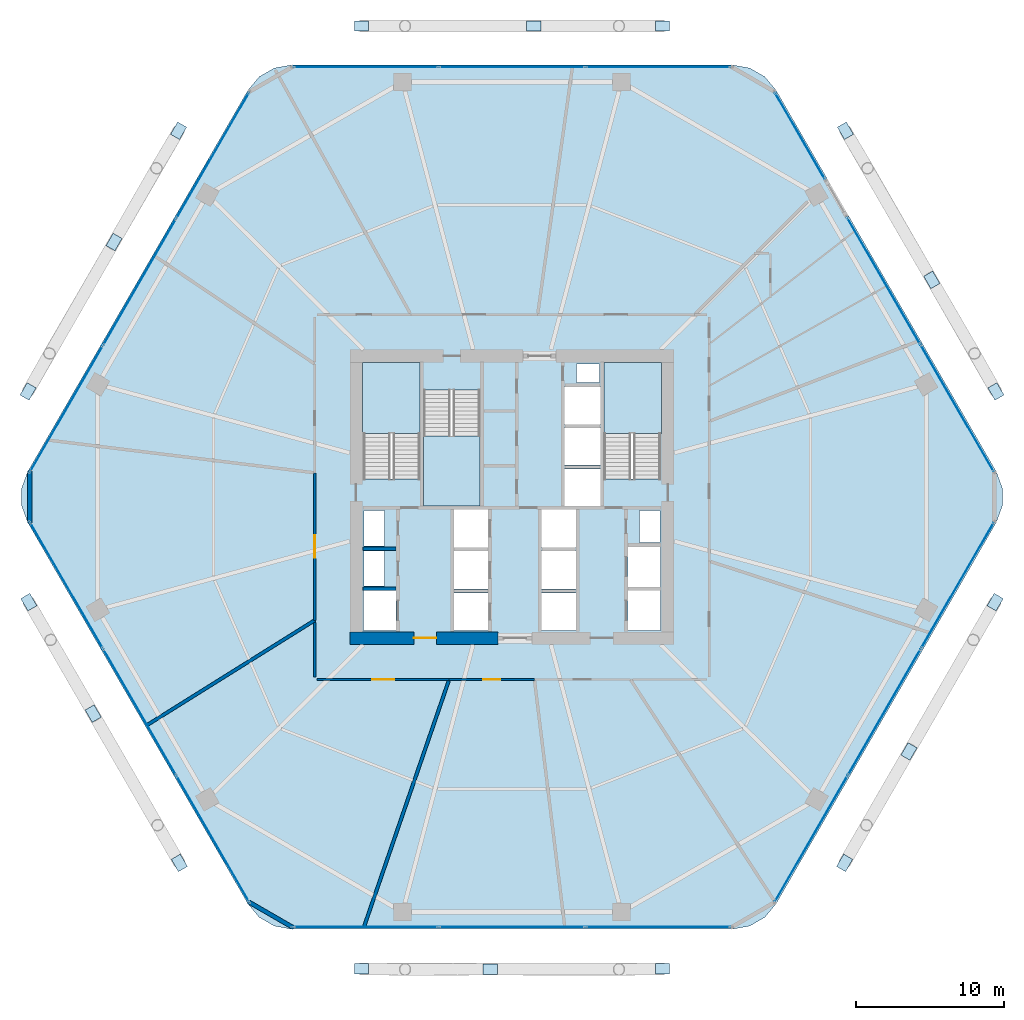
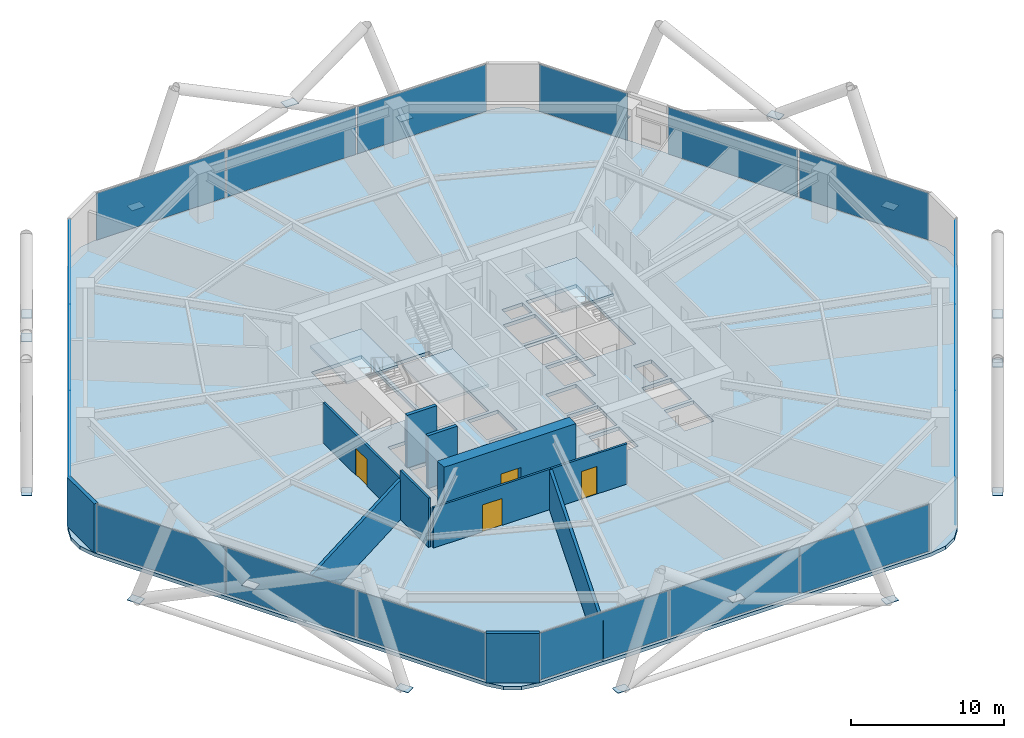
# One storey, part 24 of 28: 36 plates, 11 walls, 4 doors, 4 slabs, 4 openings, 10 elements without a shape of their own.
"""IFC4 building model written with IfcOpenShell, lengths in metres."""

from ifc_helpers import new_model, si_unit, direction, frame, frame_2d, origin, origin_2d, place, context, subcontext, project, spatial, polyline, rectangle, outline, extrude, material, layer, layer_set, type_object, element, fill, aggregate, save


model = new_model("IFC4")

# Units and contexts
model_context = context("Model", 3, precision=1e-05, world=origin(), true_north=direction((0.0, 1.0)))
body_context = subcontext(model_context, "Body", "Model", "MODEL_VIEW")
ifc_project = project(units=[si_unit("LENGTHUNIT", "METRE"), si_unit("AREAUNIT", "SQUARE_METRE"), si_unit("VOLUMEUNIT", "CUBIC_METRE"), si_unit("PLANEANGLEUNIT", "RADIAN"), si_unit("MASSUNIT", "GRAM", prefix="KILO")], contexts=[model_context])

# Site, building, storey
site_placement = place(None, origin())
site = spatial("IfcSite", under=ifc_project, at=site_placement, CompositionType="ELEMENT")
building_placement = place(site_placement, origin())
building = spatial("IfcBuilding", under=site, at=building_placement, Name="Zuhravey Tower", CompositionType="ELEMENT")
storey_placement = place(building_placement, frame((0.0, 0.0, 24.60009765625)))
storey = spatial("IfcBuildingStorey", under=building, at=storey_placement, Name="L06", CompositionType="ELEMENT", Elevation=24.60009765625)

# Curtain wall, plates
ifc_material_1 = material(Name="Thermally broken anodised aluminium", Category="aluminium")
curtain_wall_type = type_object("IfcCurtainWallType", Name="School Low-E Unitised Curtain Wall CW1", PredefinedType="NOTDEFINED", material=ifc_material_1)
curtain_wall_1_placement = place(storey_placement, origin())
curtain_wall_1 = element("IfcCurtainWall", 1, at=curtain_wall_1_placement, inside=storey, type_object=curtain_wall_type, Name="L06 CW1 CW-L06-F6-1", PredefinedType="NOTDEFINED")
ifc_material_2 = material(Name="Laminated acoustic low-E vision glass", Category="glass")
ifc_layer_1 = layer(ifc_material_2, 0.048095703125)
ifc_layer_set_1 = layer_set([ifc_layer_1], Name="Laminated acoustic low-E vision glass")
plate_type_1 = type_object("IfcPlateType", Name="Acoustic School Vision Panel", PredefinedType="CURTAIN_PANEL", material=ifc_layer_set_1)
plate_1_placement = place(storey_placement, frame((66.000732421875, 26.045654296875, 0.08984375), z_axis=(0.0, 0.0, 1.0), x_axis=(-0.499999794119, -0.86602552265, 0.0)))
plate_1 = element("IfcPlate", 2, at=plate_1_placement, type_object=plate_type_1, Name="CW1 panel 1.1", PredefinedType="CURTAIN_PANEL", context=body_context, shape_type="SweptSolid", body=[
    extrude(rectangle(XDim=9.7314453125, YDim=0.048095703125, at=origin_2d()), origin(), (0.0, 0.0, 1.0), 3.739990234375),
])
plate_2_placement = place(storey_placement, frame((61.078857421875, 17.520751953125, 0.08984375), z_axis=(0.0, 0.0, 1.0), x_axis=(-0.499999794119, -0.86602552265, 0.0)))
plate_2 = element("IfcPlate", 3, at=plate_2_placement, type_object=plate_type_1, Name="CW1 panel 2.1", PredefinedType="CURTAIN_PANEL", context=body_context, shape_type="SweptSolid", body=[
    extrude(rectangle(XDim=9.7763671875, YDim=0.048095703125, at=origin_2d()), origin(), (0.0, 0.0, 1.0), 3.739990234375),
])
plate_3_placement = place(storey_placement, frame((56.15673828125, 8.995849609375, 0.08984375), z_axis=(0.0, 0.0, 1.0), x_axis=(-0.499999794119, -0.86602552265, 0.0)))
plate_3 = element("IfcPlate", 4, at=plate_3_placement, type_object=plate_type_1, Name="CW1 panel 3.1", PredefinedType="CURTAIN_PANEL", context=body_context, shape_type="SweptSolid", body=[
    extrude(rectangle(XDim=9.7314453125, YDim=0.048095703125, at=origin_2d()), origin(), (0.0, 0.0, 1.0), 3.739990234375),
])
aggregate(curtain_wall_1, [plate_1, plate_2, plate_3])

curtain_wall_2_placement = place(storey_placement, origin())
curtain_wall_2 = element("IfcCurtainWall", 5, at=curtain_wall_2_placement, inside=storey, type_object=curtain_wall_type, Name="L06 CW1 CW-L06-F5-1", PredefinedType="NOTDEFINED")
plate_4_placement = place(storey_placement, frame((45.84375, 3.04150390625, 0.08984375), z_axis=(0.0, 0.0, 1.0), x_axis=(-1.0, 0.0, 0.0)))
plate_4 = element("IfcPlate", 6, at=plate_4_placement, type_object=plate_type_1, Name="CW1 panel 1.1", PredefinedType="CURTAIN_PANEL", context=body_context, shape_type="SweptSolid", body=[
    extrude(rectangle(XDim=9.7314453125, YDim=0.048095703125, at=origin_2d()), origin(), (0.0, 0.0, 1.0), 3.739990234375),
])
plate_5_placement = place(storey_placement, frame((36.0, 3.04150390625, 0.08984375), z_axis=(0.0, 0.0, 1.0), x_axis=(-1.0, 0.0, 0.0)))
plate_5 = element("IfcPlate", 7, at=plate_5_placement, type_object=plate_type_1, Name="CW1 panel 2.1", PredefinedType="CURTAIN_PANEL", context=body_context, shape_type="SweptSolid", body=[
    extrude(rectangle(XDim=9.7763671875, YDim=0.048095703125, at=origin_2d()), origin(), (0.0, 0.0, 1.0), 3.739990234375),
])
plate_6_placement = place(storey_placement, frame((26.15625, 3.04150390625, 0.08984375), z_axis=(0.0, 0.0, 1.0), x_axis=(-1.0, 0.0, 0.0)))
plate_6 = element("IfcPlate", 8, at=plate_6_placement, type_object=plate_type_1, Name="CW1 panel 3.1", PredefinedType="CURTAIN_PANEL", context=body_context, shape_type="SweptSolid", body=[
    extrude(rectangle(XDim=9.7314453125, YDim=0.048095703125, at=origin_2d()), origin(), (0.0, 0.0, 1.0), 3.739990234375),
])
aggregate(curtain_wall_2, [plate_4, plate_5, plate_6])

curtain_wall_3_placement = place(storey_placement, origin())
curtain_wall_3 = element("IfcCurtainWall", 9, at=curtain_wall_3_placement, inside=storey, type_object=curtain_wall_type, Name="L06 CW1 CW-L06-F4-1", PredefinedType="NOTDEFINED")
plate_7_placement = place(storey_placement, frame((15.84326171875, 8.995849609375, 0.08984375), z_axis=(0.0, 0.0, 1.0), x_axis=(-0.499999794119, 0.86602552265, 0.0)))
plate_7 = element("IfcPlate", 10, at=plate_7_placement, type_object=plate_type_1, Name="CW1 panel 1.1", PredefinedType="CURTAIN_PANEL", context=body_context, shape_type="SweptSolid", body=[
    extrude(rectangle(XDim=9.7314453125, YDim=0.048095703125, at=origin_2d()), origin(), (0.0, 0.0, 1.0), 3.739990234375),
])
plate_8_placement = place(storey_placement, frame((10.921142578125, 17.520751953125, 0.08984375), z_axis=(0.0, 0.0, 1.0), x_axis=(-0.499999794119, 0.86602552265, 0.0)))
plate_8 = element("IfcPlate", 11, at=plate_8_placement, type_object=plate_type_1, Name="CW1 panel 2.1", PredefinedType="CURTAIN_PANEL", context=body_context, shape_type="SweptSolid", body=[
    extrude(rectangle(XDim=9.7763671875, YDim=0.048095703125, at=origin_2d()), origin(), (0.0, 0.0, 1.0), 3.739990234375),
])
plate_9_placement = place(storey_placement, frame((5.999267578125, 26.045654296875, 0.08984375), z_axis=(0.0, 0.0, 1.0), x_axis=(-0.499999794119, 0.86602552265, 0.0)))
plate_9 = element("IfcPlate", 12, at=plate_9_placement, type_object=plate_type_1, Name="CW1 panel 3.1", PredefinedType="CURTAIN_PANEL", context=body_context, shape_type="SweptSolid", body=[
    extrude(rectangle(XDim=9.7314453125, YDim=0.048095703125, at=origin_2d()), origin(), (0.0, 0.0, 1.0), 3.739990234375),
])
aggregate(curtain_wall_3, [plate_7, plate_8, plate_9])

curtain_wall_4_placement = place(storey_placement, origin())
curtain_wall_4 = element("IfcCurtainWall", 13, at=curtain_wall_4_placement, inside=storey, type_object=curtain_wall_type, Name="L06 CW1 CW-L06-F3-1", PredefinedType="NOTDEFINED")
plate_10_placement = place(storey_placement, frame((5.999267578125, 37.954345703125, 0.08984375), z_axis=(0.0, 0.0, 1.0), x_axis=(0.499999794119, 0.86602552265, 0.0)))
plate_10 = element("IfcPlate", 14, at=plate_10_placement, type_object=plate_type_1, Name="CW1 panel 1.1", PredefinedType="CURTAIN_PANEL", context=body_context, shape_type="SweptSolid", body=[
    extrude(rectangle(XDim=9.7314453125, YDim=0.048095703125, at=origin_2d()), origin(), (0.0, 0.0, 1.0), 3.739990234375),
])
plate_11_placement = place(storey_placement, frame((10.921142578125, 46.479248046875, 0.08984375), z_axis=(0.0, 0.0, 1.0), x_axis=(0.499999794119, 0.86602552265, 0.0)))
plate_11 = element("IfcPlate", 15, at=plate_11_placement, type_object=plate_type_1, Name="CW1 panel 2.1", PredefinedType="CURTAIN_PANEL", context=body_context, shape_type="SweptSolid", body=[
    extrude(rectangle(XDim=9.7763671875, YDim=0.048095703125, at=origin_2d()), origin(), (0.0, 0.0, 1.0), 3.739990234375),
])
plate_12_placement = place(storey_placement, frame((15.84326171875, 55.004150390625, 0.08984375), z_axis=(0.0, 0.0, 1.0), x_axis=(0.499999794119, 0.86602552265, 0.0)))
plate_12 = element("IfcPlate", 16, at=plate_12_placement, type_object=plate_type_1, Name="CW1 panel 3.1", PredefinedType="CURTAIN_PANEL", context=body_context, shape_type="SweptSolid", body=[
    extrude(rectangle(XDim=9.7314453125, YDim=0.048095703125, at=origin_2d()), origin(), (0.0, 0.0, 1.0), 3.739990234375),
])
aggregate(curtain_wall_4, [plate_10, plate_11, plate_12])

curtain_wall_5_placement = place(storey_placement, origin())
curtain_wall_5 = element("IfcCurtainWall", 17, at=curtain_wall_5_placement, inside=storey, type_object=curtain_wall_type, Name="L06 CW1 CW-L06-F2-1", PredefinedType="NOTDEFINED")
plate_13_placement = place(storey_placement, frame((26.15625, 60.95849609375, 0.08984375), z_axis=(0.0, 0.0, 1.0), x_axis=(1.0, 0.0, 0.0)))
plate_13 = element("IfcPlate", 18, at=plate_13_placement, type_object=plate_type_1, Name="CW1 panel 1.1", PredefinedType="CURTAIN_PANEL", context=body_context, shape_type="SweptSolid", body=[
    extrude(rectangle(XDim=9.7314453125, YDim=0.048095703125, at=origin_2d()), origin(), (0.0, 0.0, 1.0), 3.739990234375),
])
plate_14_placement = place(storey_placement, frame((36.0, 60.95849609375, 0.08984375), z_axis=(0.0, 0.0, 1.0), x_axis=(1.0, 0.0, 0.0)))
plate_14 = element("IfcPlate", 19, at=plate_14_placement, type_object=plate_type_1, Name="CW1 panel 2.1", PredefinedType="CURTAIN_PANEL", context=body_context, shape_type="SweptSolid", body=[
    extrude(rectangle(XDim=9.7763671875, YDim=0.048095703125, at=origin_2d()), origin(), (0.0, 0.0, 1.0), 3.739990234375),
])
plate_15_placement = place(storey_placement, frame((45.84375, 60.95849609375, 0.08984375), z_axis=(0.0, 0.0, 1.0), x_axis=(1.0, 0.0, 0.0)))
plate_15 = element("IfcPlate", 20, at=plate_15_placement, type_object=plate_type_1, Name="CW1 panel 3.1", PredefinedType="CURTAIN_PANEL", context=body_context, shape_type="SweptSolid", body=[
    extrude(rectangle(XDim=9.7314453125, YDim=0.048095703125, at=origin_2d()), origin(), (0.0, 0.0, 1.0), 3.739990234375),
])
aggregate(curtain_wall_5, [plate_13, plate_14, plate_15])

# Curtain wall, plate
curtain_wall_6_placement = place(storey_placement, origin())
curtain_wall_6 = element("IfcCurtainWall", 21, at=curtain_wall_6_placement, inside=storey, type_object=curtain_wall_type, Name="L06 CW1 CW-L06-F1-1", PredefinedType="NOTDEFINED")
plate_16_placement = place(storey_placement, frame((55.39453125, 56.324462890625, 0.08984375), z_axis=(0.0, 0.0, 1.0), x_axis=(0.499992802933, -0.866029558973, 0.0)))
plate_16 = element("IfcPlate", 22, at=plate_16_placement, type_object=plate_type_1, Name="CW1 panel 1.1", PredefinedType="CURTAIN_PANEL", context=body_context, shape_type="SweptSolid", body=[
    extrude(rectangle(XDim=6.6826171875, YDim=0.048095703125, at=origin_2d()), origin(), (0.0, 0.0, 1.0), 3.739990234375),
])
aggregate(curtain_wall_6, [plate_16])

# Curtain wall, plates
curtain_wall_7_placement = place(storey_placement, origin())
curtain_wall_7 = element("IfcCurtainWall", 23, at=curtain_wall_7_placement, inside=storey, type_object=curtain_wall_type, Name="L06 CW1 CW-L06-F1-2", PredefinedType="NOTDEFINED")
plate_17_placement = place(storey_placement, frame((61.032470703125, 46.5595703125, 0.08984375), z_axis=(0.0, 0.0, 1.0), x_axis=(0.500000600745, -0.866025056944, 0.0)))
plate_17 = element("IfcPlate", 24, at=plate_17_placement, type_object=plate_type_1, Name="CW1 panel 1.1", PredefinedType="CURTAIN_PANEL", context=body_context, shape_type="SweptSolid", body=[
    extrude(rectangle(XDim=9.80810546875, YDim=0.048095703125, at=origin_2d()), origin(), (0.0, 0.0, 1.0), 3.739990234375),
])
plate_18_placement = place(storey_placement, frame((65.9814453125, 37.987548828125, 0.08984375), z_axis=(0.0, 0.0, 1.0), x_axis=(0.500000600745, -0.866025056944, 0.0)))
plate_18 = element("IfcPlate", 25, at=plate_18_placement, type_object=plate_type_1, Name="CW1 panel 2.1", PredefinedType="CURTAIN_PANEL", context=body_context, shape_type="SweptSolid", body=[
    extrude(rectangle(XDim=9.80810546875, YDim=0.048095703125, at=origin_2d()), origin(), (0.0, 0.0, 1.0), 3.739990234375),
])
aggregate(curtain_wall_7, [plate_17, plate_18])

# Plates
ifc_material_3 = material(Name="Steel SM460", Category="steel")
ifc_layer_2 = layer(ifc_material_3, 0.0400390625)
ifc_layer_set_2 = layer_set([ifc_layer_2], Name="Steel SM460")
plate_type_2 = type_object("IfcPlateType", Name="Exoskeleton Zone 1 Node Plate ND1", PredefinedType="SHEET", material=ifc_layer_set_2)
for number, where, z_axis, x_axis, name in (
    (26, (68.58935546875, 39.110595703125, -0.51416015625), (0.0, 0.0, 1.0), (-0.5, 0.866025403784, 0.0), "L06 Exoskeleton Node Gusset L06-01"),
    (27, (58.45263671875, 56.66796875, -0.51416015625), (0.0, 0.0, 1.0), (-0.5, 0.866025403784, 0.0), "L06 Exoskeleton Node Gusset L06-02"),
    (28, (46.13671875, 63.718505859375, -0.51416015625), (0.0, 0.0, 1.0), (-1.0, 0.0, 0.0), "L06 Exoskeleton Node Gusset L06-03"),
    (29, (25.86328125, 63.718505859375, -0.51416015625), (0.0, 0.0, 1.0), (-1.0, 0.0, 0.0), "L06 Exoskeleton Node Gusset L06-04"),
    (30, (13.54736328125, 56.66796875, -0.51416015625), (0.0, 0.0, 1.0), (-0.5, -0.866025403784, 0.0), "L06 Exoskeleton Node Gusset L06-05"),
    (31, (3.41064453125, 39.110595703125, -0.51416015625), (0.0, 0.0, 1.0), (-0.5, -0.866025403784, 0.0), "L06 Exoskeleton Node Gusset L06-06"),
    (32, (3.462646484375, 24.91943359375, -0.51416015625), (0.0, 0.0, 1.0), (0.5, -0.866025403784, 0.0), "L06 Exoskeleton Node Gusset L06-07"),
    (33, (13.599365234375, 7.362060546875, -0.51416015625), (0.0, 0.0, 1.0), (0.5, -0.866025403784, 0.0), "L06 Exoskeleton Node Gusset L06-08"),
    (34, (25.86328125, 0.221435546875, -0.51416015625), (0.0, 0.0, 1.0), (1.0, 0.0, 0.0), "L06 Exoskeleton Node Gusset L06-09"),
    (35, (46.13671875, 0.221435546875, -0.51416015625), (0.0, 0.0, 1.0), (1.0, 0.0, 0.0), "L06 Exoskeleton Node Gusset L06-10"),
    (36, (58.400634765625, 7.362060546875, -0.51416015625), (0.0, 0.0, 1.0), (0.5, 0.866025403784, 0.0), "L06 Exoskeleton Node Gusset L06-11"),
    (37, (68.537353515625, 24.91943359375, -0.51416015625), (0.0, 0.0, 1.0), (0.5, 0.866025403784, 0.0), "L06 Exoskeleton Node Gusset L06-12"),
    (38, (64.26953125, 46.622314453125, 3.685791015625), (0.0, 0.0, 1.0), (-0.5, 0.866025403784, 0.0), "L06 Face 1 Diagrid X-Crossing Plate"),
    (39, (37.471435546875, 63.718505859375, 3.685791015625), (0.0, 0.0, 1.0), (-1.0, 0.0, 0.0), "L06 Face 2 Diagrid X-Crossing Plate"),
    (40, (9.201904296875, 49.171142578125, 3.685791015625), (0.0, 0.0, 1.0), (-0.5, -0.866025403784, 0.0), "L06 Face 3 Diagrid X-Crossing Plate"),
    (41, (7.79541015625, 17.4150390625, 3.685791015625), (0.0, 0.0, 1.0), (0.5, -0.866025403784, 0.0), "L06 Face 4 Diagrid X-Crossing Plate"),
    (42, (34.528564453125, 0.20654296875, 3.685791015625), (0.0, 0.0, 1.0), (1.0, 0.0, 0.0), "L06 Face 5 Diagrid X-Crossing Plate"),
    (43, (62.733154296875, 14.866455078125, 3.685791015625), (0.0, 0.0, 1.0), (0.5, 0.866025403784, 0.0), "L06 Face 6 Diagrid X-Crossing Plate"),
):
    element("IfcPlate", number, at=place(storey_placement, frame(where, z_axis=z_axis, x_axis=x_axis)), inside=storey, type_object=plate_type_2, Name=name, PredefinedType="SHEET", context=body_context, shape_type="SweptSolid", body=[
        extrude(rectangle(XDim=0.9599609375, YDim=0.699951171875, at=origin_2d()), origin(), (0.0, 0.0, 1.0), 0.0400390625),
    ])

# Slab
ifc_material_4 = material(Name="Concrete C50/60", Category="concrete")
ifc_layer_3 = layer(ifc_material_4, 0.280029296875)
ifc_layer_set_3 = layer_set([ifc_layer_3], Name="Concrete C50/60")
slab_type_1 = type_object("IfcSlabType", Name="School Composite Floor Slab 280", PredefinedType="FLOOR", material=ifc_layer_set_3)
slab_1_placement = place(storey_placement, frame((0.0, 0.0, -0.280029296875)))
element("IfcSlab", 44, at=slab_1_placement, inside=storey, type_object=slab_type_1, Name="L06 Floor Slab FS28", PredefinedType="FLOOR", context=body_context, shape_type="SweptSolid", body=[
    extrude(outline(polyline([(68.618408203125, 30.300048828125), (69.0224609375, 31.40966796875), (69.0224609375, 32.59033203125), (68.618408203125, 33.699951171875), (53.781494140625, 59.3984375), (53.0224609375, 60.302978515625), (52.0, 60.893310546875), (50.8369140625, 61.098388671875), (21.1630859375, 61.098388671875), (20.0, 60.893310546875), (18.9775390625, 60.302978515625), (18.218505859375, 59.3984375), (3.381591796875, 33.699951171875), (2.9775390625, 32.59033203125), (2.9775390625, 31.40966796875), (3.381591796875, 30.300048828125), (18.218505859375, 4.6015625), (18.9775390625, 3.697021484375), (20.0, 3.106689453125), (21.1630859375, 2.901611328125), (50.8369140625, 2.901611328125), (52.0, 3.106689453125), (53.0224609375, 3.697021484375), (53.781494140625, 4.6015625), (68.618408203125, 30.300048828125)]), holes=[polyline([(29.800048828125, 33.20068359375), (29.800048828125, 41.0), (26.0, 41.0), (26.0, 33.20068359375), (29.800048828125, 33.20068359375)]), polyline([(46.0, 33.20068359375), (46.0, 41.0), (42.199951171875, 41.0), (42.199951171875, 33.20068359375), (46.0, 33.20068359375)]), polyline([(30.050048828125, 39.199462890625), (30.050048828125, 31.39990234375), (33.85009765625, 31.39990234375), (33.85009765625, 39.199462890625), (30.050048828125, 39.199462890625)]), polyline([(32.10009765625, 23.0), (34.39990234375, 23.0), (34.39990234375, 25.550048828125), (32.10009765625, 25.550048828125), (32.10009765625, 23.0)]), polyline([(32.10009765625, 25.800048828125), (34.39990234375, 25.800048828125), (34.39990234375, 28.35009765625), (32.10009765625, 28.35009765625), (32.10009765625, 25.800048828125)]), polyline([(32.10009765625, 28.60009765625), (34.39990234375, 28.60009765625), (34.39990234375, 31.14990234375), (32.10009765625, 31.14990234375), (32.10009765625, 28.60009765625)]), polyline([(38.0, 23.0), (40.300048828125, 23.0), (40.300048828125, 25.550048828125), (38.0, 25.550048828125), (38.0, 23.0)]), polyline([(38.0, 25.800048828125), (40.300048828125, 25.800048828125), (40.300048828125, 28.35009765625), (38.0, 28.35009765625), (38.0, 25.800048828125)]), polyline([(38.0, 28.60009765625), (40.300048828125, 28.60009765625), (40.300048828125, 31.14990234375), (38.0, 31.14990234375), (38.0, 28.60009765625)]), polyline([(39.550048828125, 31.39990234375), (41.949951171875, 31.39990234375), (41.949951171875, 33.89990234375), (39.550048828125, 33.89990234375), (39.550048828125, 31.39990234375)]), polyline([(39.550048828125, 34.14990234375), (41.949951171875, 34.14990234375), (41.949951171875, 36.64990234375), (39.550048828125, 36.64990234375), (39.550048828125, 34.14990234375)]), polyline([(39.550048828125, 36.89990234375), (41.949951171875, 36.89990234375), (41.949951171875, 39.39990234375), (39.550048828125, 39.39990234375), (39.550048828125, 36.89990234375)]), polyline([(26.0, 23.0), (28.199951171875, 23.0), (28.199951171875, 25.699951171875), (26.0, 25.699951171875), (26.0, 23.0)]), polyline([(43.800048828125, 23.0), (46.0, 23.0), (46.0, 25.699951171875), (43.800048828125, 25.699951171875), (43.800048828125, 23.0)]), polyline([(43.800048828125, 25.949951171875), (46.0, 25.949951171875), (46.0, 28.64990234375), (43.800048828125, 28.64990234375), (43.800048828125, 25.949951171875)]), polyline([(26.050048828125, 26.0), (27.39990234375, 26.0), (27.39990234375, 28.35009765625), (26.050048828125, 28.35009765625), (26.050048828125, 26.0)]), polyline([(26.050048828125, 28.699951171875), (27.39990234375, 28.699951171875), (27.39990234375, 31.10009765625), (26.050048828125, 31.10009765625), (26.050048828125, 28.699951171875)]), polyline([(44.60009765625, 28.949951171875), (45.949951171875, 28.949951171875), (45.949951171875, 31.10009765625), (44.60009765625, 31.10009765625), (44.60009765625, 28.949951171875)]), polyline([(40.35009765625, 39.699951171875), (41.89990234375, 39.699951171875), (41.89990234375, 40.949951171875), (40.35009765625, 40.949951171875), (40.35009765625, 39.699951171875)])]), origin(), (0.0, 0.0, 1.0), 0.280029296875),
])

# Stair, slab
ifc_material_5 = material(Name="Concrete C40/50", Category="concrete")
stair_type = type_object("IfcStairType", Name="School Storey Stair Assembly 4200", PredefinedType="HALF_TURN_STAIR", material=ifc_material_5)
stair_1_placement = place(storey_placement, origin())
stair_1 = element("IfcStair", 45, at=stair_1_placement, inside=storey, type_object=stair_type, Name="L06 Core Exit Stair ST1", PredefinedType="HALF_TURN_STAIR")
ifc_layer_4 = layer(ifc_material_5, 0.199951171875)
ifc_layer_set_4 = layer_set([ifc_layer_4], Name="Concrete C40/50")
slab_type_2 = type_object("IfcSlabType", Name="Stair Landing Slab 200", PredefinedType="LANDING", material=ifc_layer_set_4)
slab_2_placement = place(storey_placement, frame((0.0, 0.0, 1.89990234375)))
slab_2 = element("IfcSlab", 46, at=slab_2_placement, type_object=slab_type_2, Name="ST1 landing 1", PredefinedType="LANDING", context=body_context, shape_type="SweptSolid", body=[
    extrude(outline(polyline([(29.800048828125, 36.280029296875), (29.800048828125, 41.072998046875), (25.927001953125, 41.072998046875), (25.927001953125, 36.280029296875), (29.800048828125, 36.280029296875)])), origin(), (0.0, 0.0, 1.0), 0.199951171875),
])
aggregate(stair_1, [slab_2])

stair_2_placement = place(storey_placement, origin())
stair_2 = element("IfcStair", 47, at=stair_2_placement, inside=storey, type_object=stair_type, Name="L06 Core Exit Stair ST2", PredefinedType="HALF_TURN_STAIR")
slab_3_placement = place(storey_placement, frame((0.0, 0.0, 1.89990234375)))
slab_3 = element("IfcSlab", 48, at=slab_3_placement, type_object=slab_type_2, Name="ST2 landing 1", PredefinedType="LANDING", context=body_context, shape_type="SweptSolid", body=[
    extrude(outline(polyline([(46.072998046875, 36.280029296875), (46.072998046875, 41.072998046875), (42.199951171875, 41.072998046875), (42.199951171875, 36.280029296875), (46.072998046875, 36.280029296875)])), origin(), (0.0, 0.0, 1.0), 0.199951171875),
])
aggregate(stair_2, [slab_3])

stair_3_placement = place(storey_placement, origin())
stair_3 = element("IfcStair", 49, at=stair_3_placement, inside=storey, type_object=stair_type, Name="L06 Core Exit Stair ST3", PredefinedType="HALF_TURN_STAIR")
slab_4_placement = place(storey_placement, frame((0.0, 0.0, 1.89990234375)))
slab_4 = element("IfcSlab", 50, at=slab_4_placement, type_object=slab_type_2, Name="ST3 landing 1", PredefinedType="LANDING", context=body_context, shape_type="SweptSolid", body=[
    extrude(outline(polyline([(30.050048828125, 36.1201171875), (30.050048828125, 31.39990234375), (33.85009765625, 31.39990234375), (33.85009765625, 36.1201171875), (30.050048828125, 36.1201171875)])), origin(), (0.0, 0.0, 1.0), 0.199951171875),
])
aggregate(stair_3, [slab_4])

# Wall, opening, door
ifc_material_6 = material(Name="Concrete C60/75", Category="concrete")
ifc_layer_5 = layer(ifc_material_6, 0.85009765625)
ifc_layer_set_5 = layer_set([ifc_layer_5], Name="Concrete C60/75")
wall_type_1 = type_object("IfcWallType", Name="Core Shear Wall 850", PredefinedType="SHEAR", material=ifc_layer_set_5)
wall_1_placement = place(storey_placement, frame((25.074951171875, 22.5, 0.0), z_axis=(0.0, 0.0, 1.0), x_axis=(1.0, 0.0, 0.0)))
wall_1 = element("IfcWall", 51, at=wall_1_placement, inside=storey, type_object=wall_type_1, Name="L06 South-West Core Shear Wall CW85", PredefinedType="SHEAR", context=body_context, shape_type="SweptSolid", body=[
    extrude(rectangle(XDim=9.97509765625, YDim=0.85009765625, at=frame_2d((4.987548828125, 0.0))), origin(), (0.0, 0.0, 1.0), 4.199951171875),
])
opening_1_placement = place(wall_1_placement, frame((4.324951171875, 0.0, 0.0)))
opening_1 = element("IfcOpeningElement", 52, at=opening_1_placement, cuts=wall_1, Name="Opening FFD1", PredefinedType="OPENING", context=body_context, shape_type="SweptSolid", body=[
    extrude(rectangle(XDim=1.5, YDim=2.14990234375, at=frame_2d((0.75, 1.074951171875))), frame((0.0, 0.43701171875, 0.0), z_axis=(0.0, -1.0, 0.0), x_axis=(1.0, 0.0, 0.0)), (0.0, 0.0, 1.0), 0.8740234375),
])
ifc_material_7 = material(Name="Galvanised fire-rated steel leaf", Category="steel")
door_type_1 = type_object("IfcDoorType", Name="Firefighting Lobby Double Door 1500x2150", OperationType="DOUBLE_DOOR_SINGLE_SWING", PredefinedType="DOOR", material=ifc_material_7)
door_1_placement = place(opening_1_placement, origin())
door_1 = element("IfcDoor", 53, at=door_1_placement, inside=storey, type_object=door_type_1, Name="L06 Firefighting Lobby West Door", OperationType="DOUBLE_DOOR_SINGLE_SWING", OverallHeight=2.14990234375, OverallWidth=1.5, PredefinedType="DOOR", context=body_context, shape_type="SweptSolid", body=[
    extrude(rectangle(XDim=1.5, YDim=2.14990234375, at=frame_2d((0.75, 1.074951171875))), frame((0.0, 0.02490234375, 0.0), z_axis=(0.0, -1.0, 0.0), x_axis=(1.0, 0.0, 0.0)), (0.0, 0.0, 1.0), 0.050048828125),
])
fill(opening_1, door_1)

ifc_material_8 = material(Name="Gypsum fire-rated stud partition")
ifc_layer_6 = layer(ifc_material_8, 0.159912109375)
ifc_layer_set_6 = layer_set([ifc_layer_6], Name="Gypsum fire-rated stud partition")
wall_type_2 = type_object("IfcWallType", Name="Corridor Fire Partition 160", PredefinedType="PARTITIONING", material=ifc_layer_set_6)
wall_2_placement = place(storey_placement, frame((22.715087890625, 33.631103515625, 0.0), z_axis=(0.0, 0.0, 1.0), x_axis=(0.0, -1.0, 0.0)))
wall_2 = element("IfcWall", 54, at=wall_2_placement, inside=storey, type_object=wall_type_2, Name="L06 IW16 Partition 027", PredefinedType="PARTITIONING", context=body_context, shape_type="SweptSolid", body=[
    extrude(rectangle(XDim=9.9326171875, YDim=0.159912109375, at=frame_2d((4.96630859375, 0.0))), origin(), (0.0, 0.0, 1.0), 3.219970703125),
])
opening_2_placement = place(wall_2_placement, frame((4.21630859375, 0.0, 0.0)))
opening_2 = element("IfcOpeningElement", 55, at=opening_2_placement, cuts=wall_2, Name="Opening FFD1", PredefinedType="OPENING", context=body_context, shape_type="SweptSolid", body=[
    extrude(rectangle(XDim=1.5, YDim=2.14990234375, at=frame_2d((0.75, 1.074951171875))), frame((0.0, 0.092041015625, 0.0), z_axis=(0.0, -1.0, 0.0), x_axis=(1.0, 0.0, 0.0)), (0.0, 0.0, 1.0), 0.183837890625),
])
door_2_placement = place(opening_2_placement, frame((1.5, 0.0, 0.0), z_axis=(0.0, 0.0, 1.0), x_axis=(-1.0, 0.0, 0.0)))
door_2 = element("IfcDoor", 56, at=door_2_placement, inside=storey, type_object=door_type_1, Name="L06 Door 027.1", OperationType="DOUBLE_DOOR_SINGLE_SWING", OverallHeight=2.14990234375, OverallWidth=1.5, PredefinedType="DOOR", context=body_context, shape_type="SweptSolid", body=[
    extrude(rectangle(XDim=1.5, YDim=2.14990234375, at=frame_2d((0.75, 1.074951171875))), frame((0.0, 0.02490234375, 0.0), z_axis=(0.0, -1.0, 0.0), x_axis=(1.0, 0.0, 0.0)), (0.0, 0.0, 1.0), 0.050048828125),
])
fill(opening_2, door_2)

wall_3_placement = place(storey_placement, frame((22.875, 19.715087890625, 0.0), z_axis=(0.0, 0.0, 1.0), x_axis=(1.0, 0.0, 0.0)))
wall_3 = element("IfcWall", 57, at=wall_3_placement, inside=storey, type_object=wall_type_2, Name="L06 IW16 Partition 028", PredefinedType="PARTITIONING", context=body_context, shape_type="SweptSolid", body=[
    extrude(rectangle(XDim=8.89501953125, YDim=0.159912109375, at=frame_2d((4.447509765625, 0.0))), origin(), (0.0, 0.0, 1.0), 3.219970703125),
])
opening_3_placement = place(wall_3_placement, frame((3.697509765625, 0.0, 0.0)))
opening_3 = element("IfcOpeningElement", 58, at=opening_3_placement, cuts=wall_3, Name="Opening FFD1", PredefinedType="OPENING", context=body_context, shape_type="SweptSolid", body=[
    extrude(rectangle(XDim=1.5, YDim=2.14990234375, at=frame_2d((0.75, 1.074951171875))), frame((0.0, 0.092041015625, 0.0), z_axis=(0.0, -1.0, 0.0), x_axis=(1.0, 0.0, 0.0)), (0.0, 0.0, 1.0), 0.183837890625),
])
door_3_placement = place(opening_3_placement, frame((1.5, 0.0, 0.0), z_axis=(0.0, 0.0, 1.0), x_axis=(-1.0, 0.0, 0.0)))
door_3 = element("IfcDoor", 59, at=door_3_placement, inside=storey, type_object=door_type_1, Name="L06 Door 028.1", OperationType="DOUBLE_DOOR_SINGLE_SWING", OverallHeight=2.14990234375, OverallWidth=1.5, PredefinedType="DOOR", context=body_context, shape_type="SweptSolid", body=[
    extrude(rectangle(XDim=1.5, YDim=2.14990234375, at=frame_2d((0.75, 1.074951171875))), frame((0.0, 0.02490234375, 0.0), z_axis=(0.0, -1.0, 0.0), x_axis=(1.0, 0.0, 0.0)), (0.0, 0.0, 1.0), 0.050048828125),
])
fill(opening_3, door_3)

wall_4_placement = place(storey_placement, frame((31.77001953125, 19.715087890625, 0.0), z_axis=(0.0, 0.0, 1.0), x_axis=(1.0, 0.0, 0.0)))
wall_4 = element("IfcWall", 60, at=wall_4_placement, inside=storey, type_object=wall_type_2, Name="L06 IW16 Partition 029", PredefinedType="PARTITIONING", context=body_context, shape_type="SweptSolid", body=[
    extrude(rectangle(XDim=5.73828125, YDim=0.159912109375, at=frame_2d((2.869140625, 0.0))), origin(), (0.0, 0.0, 1.0), 3.219970703125),
])
opening_4_placement = place(wall_4_placement, frame((2.294189453125, 0.0, 0.0)))
opening_4 = element("IfcOpeningElement", 61, at=opening_4_placement, cuts=wall_4, Name="Opening CLD1", PredefinedType="OPENING", context=body_context, shape_type="SweptSolid", body=[
    extrude(rectangle(XDim=1.14990234375, YDim=2.199951171875, at=frame_2d((0.574951171875, 1.10009765625))), frame((0.0, 0.092041015625, 0.0), z_axis=(0.0, -1.0, 0.0), x_axis=(1.0, 0.0, 0.0)), (0.0, 0.0, 1.0), 0.183837890625),
])
ifc_material_9 = material(Name="Acoustic timber leaf with vision lite", Category="wood")
door_type_2 = type_object("IfcDoorType", Name="Classroom Acoustic Door 1150x2200", OperationType="NOTDEFINED", PredefinedType="DOOR", material=ifc_material_9)
door_4_placement = place(opening_4_placement, frame((1.14990234375, 0.0, 0.0), z_axis=(0.0, 0.0, 1.0), x_axis=(-1.0, 0.0, 0.0)))
door_4 = element("IfcDoor", 62, at=door_4_placement, inside=storey, type_object=door_type_2, Name="L06 Door 029.1", OperationType="SINGLE_SWING_RIGHT", OverallHeight=2.199951171875, OverallWidth=1.14990234375, PredefinedType="DOOR", context=body_context, shape_type="SweptSolid", body=[
    extrude(rectangle(XDim=1.14990234375, YDim=2.199951171875, at=frame_2d((0.574951171875, 1.10009765625))), frame((0.0, 0.02490234375, 0.0), z_axis=(0.0, -1.0, 0.0), x_axis=(1.0, 0.0, 0.0)), (0.0, 0.0, 1.0), 0.050048828125),
])
fill(opening_4, door_4)

# Walls
wall_5_placement = place(storey_placement, frame((22.715087890625, 23.5595703125, 0.0), z_axis=(0.0, 0.0, 1.0), x_axis=(0.0, -1.0, 0.0)))
element("IfcWall", 63, at=wall_5_placement, inside=storey, type_object=wall_type_2, Name="L06 IW16 Partition 056", PredefinedType="PARTITIONING", context=body_context, shape_type="SweptSolid", body=[
    extrude(rectangle(XDim=3.6845703125, YDim=0.159912109375, at=frame_2d((1.84228515625, 0.0))), origin(), (0.0, 0.0, 1.0), 3.919921875),
])
ifc_material_10 = material(Name="Precast concrete C40/50", Category="concrete")
ifc_layer_7 = layer(ifc_material_10, 0.280029296875)
ifc_layer_set_7 = layer_set([ifc_layer_7], Name="Precast concrete C40/50")
wall_type_3 = type_object("IfcWallType", Name="Crown Architectural Wall 280", PredefinedType="SOLIDWALL", material=ifc_layer_set_7)
wall_6_placement = place(storey_placement, frame((21.28271484375, 2.993896484375, 0.0), z_axis=(0.0, 0.0, 1.0), x_axis=(-0.866007452331, 0.500031091541, 0.0)))
element("IfcWall", 64, at=wall_6_placement, inside=storey, type_object=wall_type_3, Name="L06 Rounded Corner Closure Wall EW28-04", PredefinedType="SOLIDWALL", context=body_context, shape_type="SweptSolid", body=[
    extrude(rectangle(XDim=3.514892578125, YDim=0.280029296875, at=frame_2d((1.75732421875, 0.0))), origin(), (0.0, 0.0, 1.0), 3.919921875),
])
wall_7_placement = place(storey_placement, frame((3.521484375, 30.242431640625, 0.0), z_axis=(0.0, 0.0, 1.0), x_axis=(0.0, 1.0, 0.0)))
element("IfcWall", 65, at=wall_7_placement, inside=storey, type_object=wall_type_3, Name="L06 Rounded Corner Closure Wall EW28-06", PredefinedType="SOLIDWALL", context=body_context, shape_type="SweptSolid", body=[
    extrude(rectangle(XDim=3.51513671875, YDim=0.280029296875, at=frame_2d((1.757568359375, 0.0))), origin(), (0.0, 0.0, 1.0), 3.919921875),
])
ifc_layer_8 = layer(ifc_material_4, 0.25)
ifc_layer_set_8 = layer_set([ifc_layer_8], Name="Concrete C50/60")
wall_type_4 = type_object("IfcWallType", Name="Firefighting Shaft & Stair Wall 250", PredefinedType="SOLIDWALL", material=ifc_layer_set_8)
for number, where, z_axis, x_axis, name in (
    (66, (25.949951171875, 25.824951171875, 0.0), (0.0, 0.0, 1.0), (1.0, 0.0, 0.0), "L06 FW25 Shaft Wall 009"),
    (67, (25.949951171875, 28.52490234375, 0.0), (0.0, 0.0, 1.0), (1.0, 0.0, 0.0), "L06 FW25 Shaft Wall 010"),
):
    element("IfcWall", number, at=place(storey_placement, frame(where, z_axis=z_axis, x_axis=x_axis)), inside=storey, type_object=wall_type_4, Name=name, PredefinedType="SOLIDWALL", context=body_context, shape_type="SweptSolid", body=[
        extrude(rectangle(XDim=2.25, YDim=0.25, at=frame_2d((1.125, 0.0))), origin(), (0.0, 0.0, 1.0), 4.199951171875),
    ])
ifc_material_11 = material(Name="Gypsum acoustic stud assembly")
ifc_layer_9 = layer(ifc_material_11, 0.219970703125)
ifc_layer_set_9 = layer_set([ifc_layer_9], Name="Gypsum acoustic stud assembly")
wall_type_5 = type_object("IfcWallType", Name="School Acoustic Compartment Wall 220", PredefinedType="PARTITIONING", material=ifc_layer_set_9)
wall_8_placement = place(storey_placement, frame((22.715087890625, 23.698486328125, 0.0), z_axis=(0.0, 0.0, 1.0), x_axis=(-0.848051882484, -0.529913204794, 0.0)))
element("IfcWall", 68, at=wall_8_placement, inside=storey, type_object=wall_type_5, Name="L06 IW22 Partition 055", PredefinedType="PARTITIONING", context=body_context, shape_type="SweptSolid", body=[
    extrude(rectangle(XDim=13.310546875, YDim=0.219970703125, at=frame_2d((6.6552734375, 0.0))), origin(), (0.0, 0.0, 1.0), 3.169921875),
])
wall_9_placement = place(storey_placement, frame((31.739501953125, 19.626953125, 0.0), z_axis=(0.0, 0.0, 1.0), x_axis=(-0.325561284918, -0.945520940943, 0.0)))
element("IfcWall", 69, at=wall_9_placement, inside=storey, type_object=wall_type_5, Name="L06 IW22 Partition 057", PredefinedType="PARTITIONING", context=body_context, shape_type="SweptSolid", body=[
    extrude(rectangle(XDim=17.541015625, YDim=0.219970703125, at=frame_2d((8.7705078125, 0.0))), origin(), (0.0, 0.0, 1.0), 3.169921875),
])

save(model, "model.ifc")
